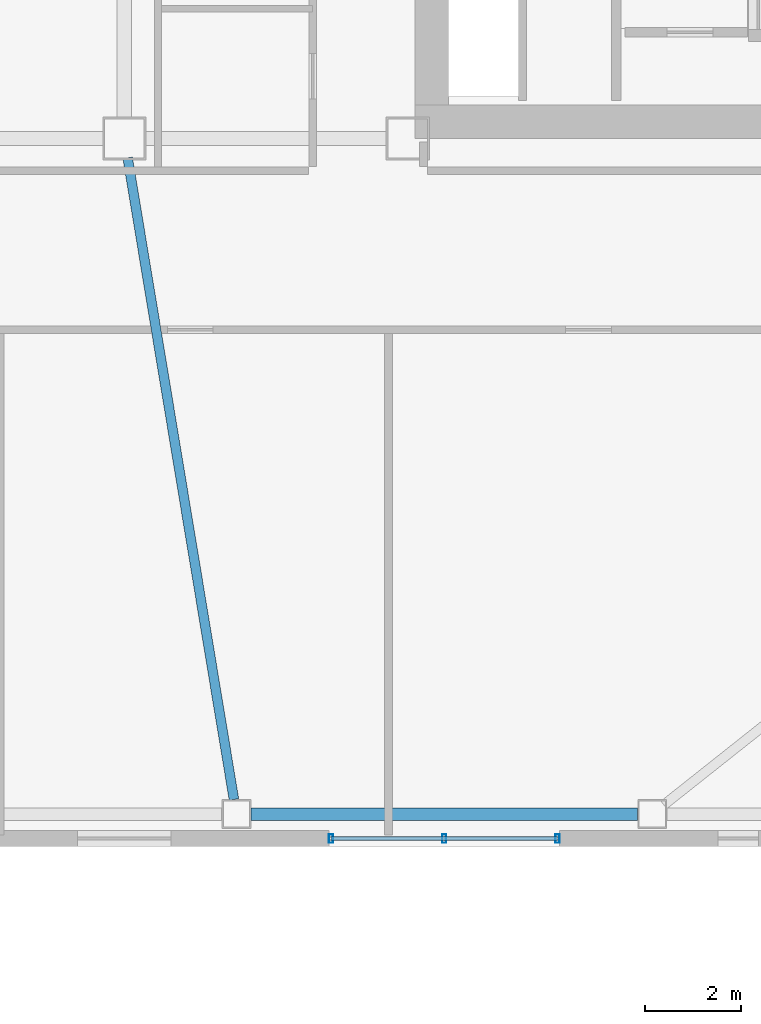
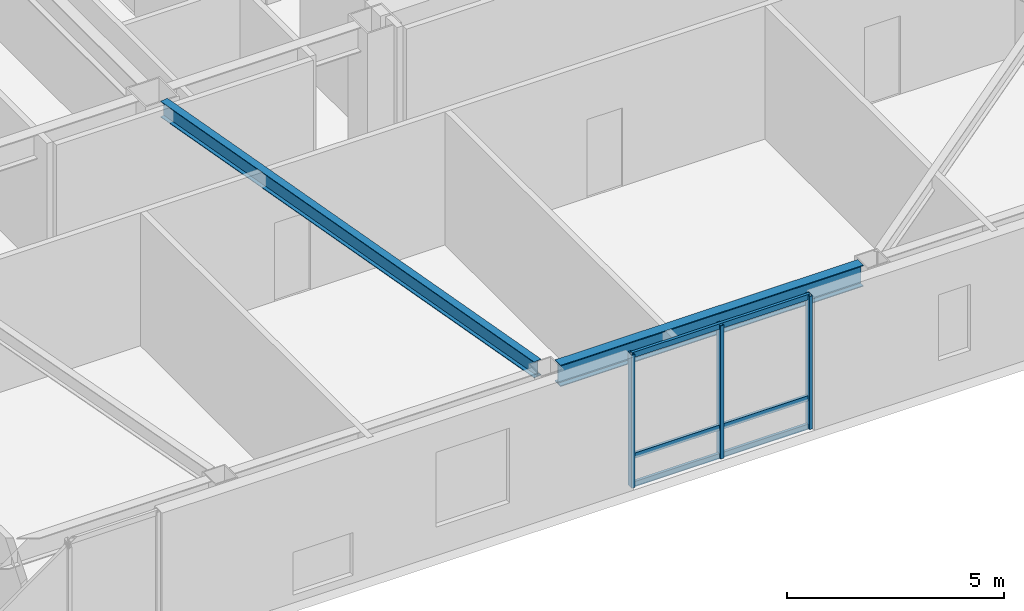
# One storey, part 4 of 18: 6 members, 2 beams, 1 element without a shape of its own.
"""IFC4 building model written with IfcOpenShell, lengths in metres."""

from ifc_helpers import new_model, si_unit, direction, frame, origin, origin_2d, place, context, subcontext, project, spatial, hollow_rectangle, i_section, extrude, material, layer, layer_set, material_profile, profile_set, type_object, element, aggregate, save


model = new_model("IFC4")

# Units and contexts
model_context = context("Model", 3, precision=1e-05, world=origin(), true_north=direction((0.0, 1.0)))
body_context = subcontext(model_context, "Body", "Model", "MODEL_VIEW")
ifc_project = project(units=[si_unit("LENGTHUNIT", "METRE"), si_unit("AREAUNIT", "SQUARE_METRE"), si_unit("VOLUMEUNIT", "CUBIC_METRE"), si_unit("PLANEANGLEUNIT", "RADIAN"), si_unit("MASSUNIT", "GRAM", prefix="KILO")], contexts=[model_context])

# Site, building, storey
site_placement = place(None, origin())
site = spatial("IfcSite", under=ifc_project, at=site_placement, CompositionType="ELEMENT")
building_placement = place(site_placement, origin())
building = spatial("IfcBuilding", under=site, at=building_placement, Name="Tavrogorsk Clinical Tower", CompositionType="ELEMENT")
storey_placement = place(building_placement, frame((0.0, 0.0, 168.199951171875)))
storey = spatial("IfcBuildingStorey", under=building, at=storey_placement, Name="L38", CompositionType="ELEMENT", Elevation=168.199951171875)

# Curtain wall, members
ifc_material_1 = material(Name="Anodised aluminium and triple IGU glazing", Category="aluminium")
ifc_layer = layer(ifc_material_1, 0.179931640625)
ifc_layer_set = layer_set([ifc_layer], Name="Anodised aluminium and triple IGU glazing")
curtain_wall_type = type_object("IfcCurtainWallType", Name="CW3_SouthSlot", PredefinedType="NOTDEFINED", material=ifc_layer_set)
curtain_wall_placement = place(storey_placement, origin())
curtain_wall = element("IfcCurtainWall", 1, at=curtain_wall_placement, inside=storey, type_object=curtain_wall_type, Name="L38 Curtain Wall CW-L38-S-SLOT-2", PredefinedType="NOTDEFINED")
ifc_material_2 = material(Name="Anodised aluminium alloy AW-6060", Category="aluminium")
ifc_material_profile_1 = material_profile(ifc_material_2, hollow_rectangle(XDim=0.090087890625, YDim=0.179931640625, WallThickness=0.00634765625, at=origin_2d()), Name="RHS-180x90x6.3")
ifc_profile_set_1 = profile_set([ifc_material_profile_1], Name="Anodised aluminium alloy AW-6060")
member_type_1 = type_object("IfcMemberType", Name="CwMullion_180x90", PredefinedType="MULLION", material=ifc_profile_set_1)
member_1_placement = place(storey_placement, frame((8.703857421875, -20.929931640625, 0.0), z_axis=(0.0, 0.0, 1.0), x_axis=(1.0, 0.0, 0.0)))
member_1 = element("IfcMember", 2, at=member_1_placement, type_object=member_type_1, Name="CW-L38-S-SLOT-2 Mullion 1", PredefinedType="MULLION", context=body_context, shape_type="SweptSolid", body=[
    extrude(hollow_rectangle(XDim=0.090087890625, YDim=0.179931640625, WallThickness=0.00634765625, at=origin_2d()), origin(), (0.0, 0.0, 1.0), 3.739990234375),
])
member_2_placement = place(storey_placement, frame((11.062744140625, -20.929931640625, 0.0), z_axis=(0.0, 0.0, 1.0), x_axis=(1.0, 0.0, 0.0)))
member_2 = element("IfcMember", 3, at=member_2_placement, type_object=member_type_1, Name="CW-L38-S-SLOT-2 Mullion 2", PredefinedType="MULLION", context=body_context, shape_type="SweptSolid", body=[
    extrude(hollow_rectangle(XDim=0.090087890625, YDim=0.179931640625, WallThickness=0.00634765625, at=origin_2d()), origin(), (0.0, 0.0, 1.0), 3.739990234375),
])
member_3_placement = place(storey_placement, frame((13.421875, -20.929931640625, 0.0), z_axis=(0.0, 0.0, 1.0), x_axis=(1.0, 0.0, 0.0)))
member_3 = element("IfcMember", 4, at=member_3_placement, type_object=member_type_1, Name="CW-L38-S-SLOT-2 Mullion 3", PredefinedType="MULLION", context=body_context, shape_type="SweptSolid", body=[
    extrude(hollow_rectangle(XDim=0.090087890625, YDim=0.179931640625, WallThickness=0.00634765625, at=origin_2d()), origin(), (0.0, 0.0, 1.0), 3.739990234375),
])
ifc_material_3 = material(Name="Anodised aluminium alloy AW-6060", Category="aluminium")
ifc_material_profile_2 = material_profile(ifc_material_3, hollow_rectangle(XDim=0.074951171875, YDim=0.14990234375, WallThickness=0.0048828125, at=origin_2d()), Name="RHS-150x75x5")
ifc_profile_set_2 = profile_set([ifc_material_profile_2], Name="Anodised aluminium alloy AW-6060")
member_type_2 = type_object("IfcMemberType", Name="CwTransom_150x75", PredefinedType="USERDEFINED", material=ifc_profile_set_2)
member_4_placement = place(storey_placement, frame((8.703857421875, -20.929931640625, 0.050048828125), z_axis=(1.0, 0.0, 0.0), x_axis=(0.0, 1.0, 0.0)))
member_4 = element("IfcMember", 5, at=member_4_placement, type_object=member_type_2, Name="CW-L38-S-SLOT-2 Transom 1", ObjectType="TRANSOM", PredefinedType="USERDEFINED", context=body_context, shape_type="SweptSolid", body=[
    extrude(hollow_rectangle(XDim=0.074951171875, YDim=0.14990234375, WallThickness=0.0048828125, at=origin_2d()), origin(), (0.0, 0.0, 1.0), 4.718017578125),
])
member_5_placement = place(storey_placement, frame((8.703857421875, -20.929931640625, 0.85009765625), z_axis=(1.0, 0.0, 0.0), x_axis=(0.0, 1.0, 0.0)))
member_5 = element("IfcMember", 6, at=member_5_placement, type_object=member_type_2, Name="CW-L38-S-SLOT-2 Transom 2", ObjectType="TRANSOM", PredefinedType="USERDEFINED", context=body_context, shape_type="SweptSolid", body=[
    extrude(hollow_rectangle(XDim=0.074951171875, YDim=0.14990234375, WallThickness=0.0048828125, at=origin_2d()), origin(), (0.0, 0.0, 1.0), 4.718017578125),
])
member_6_placement = place(storey_placement, frame((8.703857421875, -20.929931640625, 3.68994140625), z_axis=(1.0, 0.0, 0.0), x_axis=(0.0, 1.0, 0.0)))
member_6 = element("IfcMember", 7, at=member_6_placement, type_object=member_type_2, Name="CW-L38-S-SLOT-2 Transom 3", ObjectType="TRANSOM", PredefinedType="USERDEFINED", context=body_context, shape_type="SweptSolid", body=[
    extrude(hollow_rectangle(XDim=0.074951171875, YDim=0.14990234375, WallThickness=0.0048828125, at=origin_2d()), origin(), (0.0, 0.0, 1.0), 4.718017578125),
])
aggregate(curtain_wall, [member_1, member_2, member_3, member_4, member_5, member_6])

# Beams
ifc_material_4 = material(Name="Structural steel S355", Category="steel")
ifc_material_profile_3 = material_profile(ifc_material_4, i_section(OverallWidth=0.199951171875, OverallDepth=0.449951171875, WebThickness=0.011474609375, FlangeThickness=0.01806640625, at=origin_2d()), Name="B-450x200x11.5x18")
ifc_profile_set_3 = profile_set([ifc_material_profile_3], Name="Structural steel S355")
beam_type_1 = type_object("IfcBeamType", Name="FloorBeam_B450", PredefinedType="BEAM", material=ifc_profile_set_3)
beam_1_placement = place(storey_placement, frame((4.467041015625, -6.75439453125, 3.51513671875), z_axis=(0.16347521907, -0.986547440699, 0.0), x_axis=(0.986547440699, 0.16347521907, 0.0)))
element("IfcBeam", 8, at=beam_1_placement, inside=storey, type_object=beam_type_1, Name="L38 Radial Floor Beam S5", PredefinedType="BEAM", context=body_context, shape_type="SweptSolid", body=[
    extrude(i_section(OverallWidth=0.199951171875, OverallDepth=0.449951171875, WebThickness=0.011474609375, FlangeThickness=0.01806640625, at=origin_2d()), origin(), (0.0, 0.0, 1.0), 13.5439453125),
])
ifc_material_5 = material(Name="Structural steel S390", Category="steel")
ifc_material_profile_4 = material_profile(ifc_material_5, i_section(OverallWidth=0.260009765625, OverallDepth=0.60009765625, WebThickness=0.014892578125, FlangeThickness=0.02392578125, at=origin_2d()), Name="B-600x260x15x24")
ifc_profile_set_4 = profile_set([ifc_material_profile_4], Name="Structural steel S390")
beam_type_2 = type_object("IfcBeamType", Name="SpandrelBeam_B600", PredefinedType="SPANDREL", material=ifc_profile_set_4)
beam_2_placement = place(storey_placement, frame((7.039306640625, -20.419921875, 3.43994140625), z_axis=(1.0, 0.0, 0.0), x_axis=(0.0, 1.0, 0.0)))
element("IfcBeam", 9, at=beam_2_placement, inside=storey, type_object=beam_type_2, Name="L38 Perimeter Spandrel S5-S6", PredefinedType="SPANDREL", context=body_context, shape_type="SweptSolid", body=[
    extrude(i_section(OverallWidth=0.260009765625, OverallDepth=0.60009765625, WebThickness=0.014892578125, FlangeThickness=0.02392578125, at=origin_2d()), origin(), (0.0, 0.0, 1.0), 8.046875),
])

save(model, "model.ifc")
